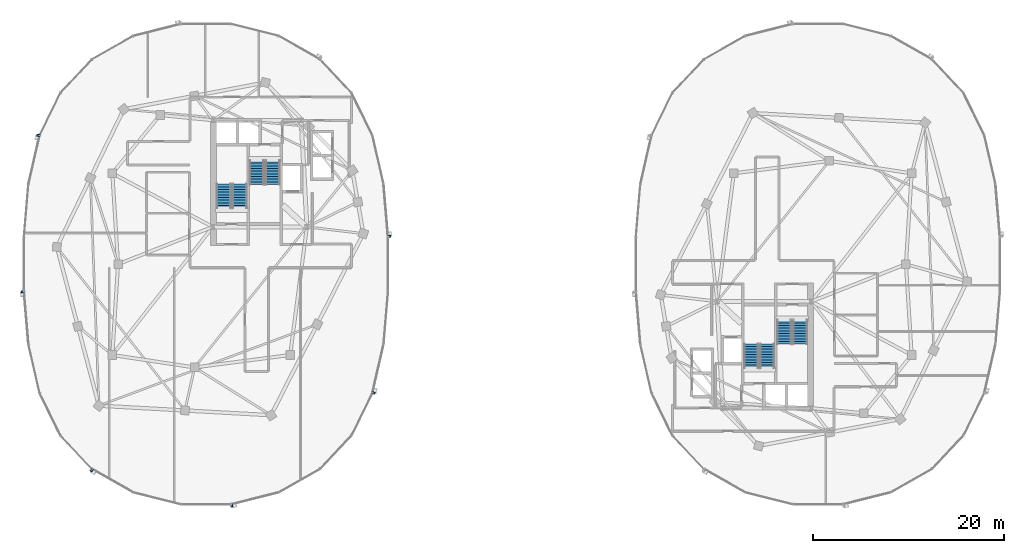
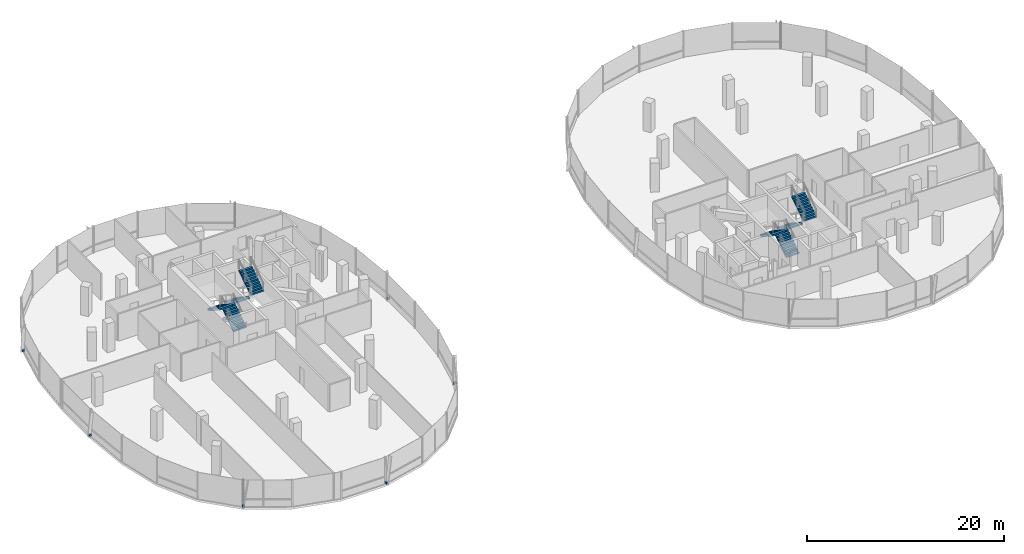
# One storey, part 18 of 25: 8 stair flights, 6 discrete accessories, 4 elements without a shape of their own.
"""IFC4 building model written with IfcOpenShell, lengths in metres."""

from ifc_helpers import new_model, si_unit, direction, frame, origin, origin_2d, place, context, subcontext, project, spatial, polyline, rectangle, outline, extrude, material, type_object, element, aggregate, save


model = new_model("IFC4")

# Units and contexts
model_context = context("Model", 3, precision=1e-05, world=origin(), true_north=direction((0.0, 1.0)))
body_context = subcontext(model_context, "Body", "Model", "MODEL_VIEW")
ifc_project = project(units=[si_unit("LENGTHUNIT", "METRE"), si_unit("AREAUNIT", "SQUARE_METRE"), si_unit("VOLUMEUNIT", "CUBIC_METRE"), si_unit("PLANEANGLEUNIT", "RADIAN"), si_unit("MASSUNIT", "GRAM", prefix="KILO"), si_unit("THERMODYNAMICTEMPERATUREUNIT", "KELVIN"), si_unit("POWERUNIT", "WATT")], contexts=[model_context])

# Site, building, storey
site_placement = place(None, origin())
site = spatial("IfcSite", under=ifc_project, at=site_placement, CompositionType="ELEMENT")
building_placement = place(site_placement, origin())
building = spatial("IfcBuilding", under=site, at=building_placement, Name="Cundina Bronze Exchange", CompositionType="ELEMENT")
storey_placement = place(building_placement, frame((0.0, 0.0, 199.0)))
storey = spatial("IfcBuildingStorey", under=building, at=storey_placement, Name="L52", CompositionType="ELEMENT", Elevation=199.0)

# Stair, stair flights
ifc_material_1 = material(Name="Concrete C40/50", Category="concrete")
stair_type = type_object("IfcStairType", Name="STR-OFF-360", PredefinedType="HALF_TURN_STAIR", material=ifc_material_1)
stair_1_placement = place(storey_placement, origin())
stair_1 = element("IfcStair", 1, at=stair_1_placement, inside=storey, type_object=stair_type, Name="L52 Smokeproof Exit Stair W1", PredefinedType="HALF_TURN_STAIR")
stair_flight_type = type_object("IfcStairFlightType", Name="FLG-OFF-180", PredefinedType="STRAIGHT", material=ifc_material_1)
stair_flight_1_placement = place(storey_placement, frame((-28.489990234375, 5.85009765625, 0.0), z_axis=(0.0, 0.0, 1.0), x_axis=(0.0, 1.0, 0.0)))
stair_flight_1 = element("IfcStairFlight", 2, at=stair_flight_1_placement, type_object=stair_flight_type, Name="ST-W1 flight 1", NumberOfRisers=10, NumberOfTreads=9, PredefinedType="STRAIGHT", RiserHeight=0.18, TreadLength=0.28, context=body_context, shape_type="SweptSolid", body=[
    extrude(outline(polyline([(0.0, 0.0), (0.0, 0.179931640625), (0.280029296875, 0.179931640625), (0.280029296875, 0.360107421875), (0.56005859375, 0.360107421875), (0.56005859375, 0.5400390625), (0.840087890625, 0.5400390625), (0.840087890625, 0.719970703125), (1.1201171875, 0.719970703125), (1.1201171875, 0.89990234375), (1.39990234375, 0.89990234375), (1.39990234375, 1.080078125), (1.679931640625, 1.080078125), (1.679931640625, 1.260009765625), (1.9599609375, 1.260009765625), (1.9599609375, 1.43994140625), (2.239990234375, 1.43994140625), (2.239990234375, 1.6201171875), (2.52001953125, 1.6201171875), (2.52001953125, 1.800048828125), (2.52001953125, 1.44189453125), (0.277099609375, 0.0), (0.0, 0.0)])), frame((0.0, 0.75, 0.0), z_axis=(0.0, -1.0, 0.0), x_axis=(1.0, 0.0, 0.0)), (0.0, 0.0, 1.0), 1.5),
])
stair_flight_2_placement = place(storey_placement, frame((-30.14990234375, 8.3701171875, 1.800048828125), z_axis=(0.0, 0.0, 1.0), x_axis=(0.0, -1.0, 0.0)))
stair_flight_2 = element("IfcStairFlight", 3, at=stair_flight_2_placement, type_object=stair_flight_type, Name="ST-W1 flight 2", NumberOfRisers=10, NumberOfTreads=9, PredefinedType="STRAIGHT", RiserHeight=0.18, TreadLength=0.28, context=body_context, shape_type="SweptSolid", body=[
    extrude(outline(polyline([(0.0, 0.0), (0.0, 0.179931640625), (0.280029296875, 0.179931640625), (0.280029296875, 0.360107421875), (0.56005859375, 0.360107421875), (0.56005859375, 0.5400390625), (0.840087890625, 0.5400390625), (0.840087890625, 0.719970703125), (1.1201171875, 0.719970703125), (1.1201171875, 0.89990234375), (1.39990234375, 0.89990234375), (1.39990234375, 1.080078125), (1.679931640625, 1.080078125), (1.679931640625, 1.260009765625), (1.9599609375, 1.260009765625), (1.9599609375, 1.43994140625), (2.239990234375, 1.43994140625), (2.239990234375, 1.6201171875), (2.52001953125, 1.6201171875), (2.52001953125, 1.800048828125), (2.52001953125, 1.44189453125), (0.277099609375, 0.0), (0.0, 0.0)])), frame((0.0, 0.75, 0.0), z_axis=(0.0, -1.0, 0.0), x_axis=(1.0, 0.0, 0.0)), (0.0, 0.0, 1.0), 1.5),
])
aggregate(stair_1, [stair_flight_1, stair_flight_2])

stair_2_placement = place(storey_placement, origin())
stair_2 = element("IfcStair", 4, at=stair_2_placement, inside=storey, type_object=stair_type, Name="L52 Smokeproof Exit Stair W2", PredefinedType="HALF_TURN_STAIR")
stair_flight_3_placement = place(storey_placement, frame((-26.68994140625, 10.85009765625, 0.0), z_axis=(0.0, 0.0, 1.0), x_axis=(0.0, -1.0, 0.0)))
stair_flight_3 = element("IfcStairFlight", 5, at=stair_flight_3_placement, type_object=stair_flight_type, Name="ST-W2 flight 1", NumberOfRisers=10, NumberOfTreads=9, PredefinedType="STRAIGHT", RiserHeight=0.18, TreadLength=0.28, context=body_context, shape_type="SweptSolid", body=[
    extrude(outline(polyline([(0.0, 0.0), (0.0, 0.179931640625), (0.280029296875, 0.179931640625), (0.280029296875, 0.360107421875), (0.56005859375, 0.360107421875), (0.56005859375, 0.5400390625), (0.840087890625, 0.5400390625), (0.840087890625, 0.719970703125), (1.1201171875, 0.719970703125), (1.1201171875, 0.89990234375), (1.39990234375, 0.89990234375), (1.39990234375, 1.080078125), (1.679931640625, 1.080078125), (1.679931640625, 1.260009765625), (1.9599609375, 1.260009765625), (1.9599609375, 1.43994140625), (2.239990234375, 1.43994140625), (2.239990234375, 1.6201171875), (2.52001953125, 1.6201171875), (2.52001953125, 1.800048828125), (2.52001953125, 1.44189453125), (0.277099609375, 0.0), (0.0, 0.0)])), frame((0.0, 0.75, 0.0), z_axis=(0.0, -1.0, 0.0), x_axis=(1.0, 0.0, 0.0)), (0.0, 0.0, 1.0), 1.5),
])
stair_flight_4_placement = place(storey_placement, frame((-25.030029296875, 8.330078125, 1.800048828125), z_axis=(0.0, 0.0, 1.0), x_axis=(0.0, 1.0, 0.0)))
stair_flight_4 = element("IfcStairFlight", 6, at=stair_flight_4_placement, type_object=stair_flight_type, Name="ST-W2 flight 2", NumberOfRisers=10, NumberOfTreads=9, PredefinedType="STRAIGHT", RiserHeight=0.18, TreadLength=0.28, context=body_context, shape_type="SweptSolid", body=[
    extrude(outline(polyline([(0.0, 0.0), (0.0, 0.179931640625), (0.280029296875, 0.179931640625), (0.280029296875, 0.360107421875), (0.56005859375, 0.360107421875), (0.56005859375, 0.5400390625), (0.840087890625, 0.5400390625), (0.840087890625, 0.719970703125), (1.1201171875, 0.719970703125), (1.1201171875, 0.89990234375), (1.39990234375, 0.89990234375), (1.39990234375, 1.080078125), (1.679931640625, 1.080078125), (1.679931640625, 1.260009765625), (1.9599609375, 1.260009765625), (1.9599609375, 1.43994140625), (2.239990234375, 1.43994140625), (2.239990234375, 1.6201171875), (2.52001953125, 1.6201171875), (2.52001953125, 1.800048828125), (2.52001953125, 1.44189453125), (0.277099609375, 0.0), (0.0, 0.0)])), frame((0.0, 0.75, 0.0), z_axis=(0.0, -1.0, 0.0), x_axis=(1.0, 0.0, 0.0)), (0.0, 0.0, 1.0), 1.5),
])
aggregate(stair_2, [stair_flight_3, stair_flight_4])

stair_3_placement = place(storey_placement, origin())
stair_3 = element("IfcStair", 7, at=stair_3_placement, inside=storey, type_object=stair_type, Name="L52 Smokeproof Exit Stair E1", PredefinedType="HALF_TURN_STAIR")
stair_flight_5_placement = place(storey_placement, frame((28.489990234375, -5.85009765625, 0.0), z_axis=(0.0, 0.0, 1.0), x_axis=(0.0, -1.0, 0.0)))
stair_flight_5 = element("IfcStairFlight", 8, at=stair_flight_5_placement, type_object=stair_flight_type, Name="ST-E1 flight 1", NumberOfRisers=10, NumberOfTreads=9, PredefinedType="STRAIGHT", RiserHeight=0.18, TreadLength=0.28, context=body_context, shape_type="SweptSolid", body=[
    extrude(outline(polyline([(0.0, 0.0), (0.0, 0.179931640625), (0.280029296875, 0.179931640625), (0.280029296875, 0.360107421875), (0.56005859375, 0.360107421875), (0.56005859375, 0.5400390625), (0.840087890625, 0.5400390625), (0.840087890625, 0.719970703125), (1.1201171875, 0.719970703125), (1.1201171875, 0.89990234375), (1.39990234375, 0.89990234375), (1.39990234375, 1.080078125), (1.679931640625, 1.080078125), (1.679931640625, 1.260009765625), (1.9599609375, 1.260009765625), (1.9599609375, 1.43994140625), (2.239990234375, 1.43994140625), (2.239990234375, 1.6201171875), (2.52001953125, 1.6201171875), (2.52001953125, 1.800048828125), (2.52001953125, 1.44189453125), (0.277099609375, 0.0), (0.0, 0.0)])), frame((0.0, 0.75, 0.0), z_axis=(0.0, -1.0, 0.0), x_axis=(1.0, 0.0, 0.0)), (0.0, 0.0, 1.0), 1.5),
])
stair_flight_6_placement = place(storey_placement, frame((30.14990234375, -8.3701171875, 1.800048828125), z_axis=(0.0, 0.0, 1.0), x_axis=(0.0, 1.0, 0.0)))
stair_flight_6 = element("IfcStairFlight", 9, at=stair_flight_6_placement, type_object=stair_flight_type, Name="ST-E1 flight 2", NumberOfRisers=10, NumberOfTreads=9, PredefinedType="STRAIGHT", RiserHeight=0.18, TreadLength=0.28, context=body_context, shape_type="SweptSolid", body=[
    extrude(outline(polyline([(0.0, 0.0), (0.0, 0.179931640625), (0.280029296875, 0.179931640625), (0.280029296875, 0.360107421875), (0.56005859375, 0.360107421875), (0.56005859375, 0.5400390625), (0.840087890625, 0.5400390625), (0.840087890625, 0.719970703125), (1.1201171875, 0.719970703125), (1.1201171875, 0.89990234375), (1.39990234375, 0.89990234375), (1.39990234375, 1.080078125), (1.679931640625, 1.080078125), (1.679931640625, 1.260009765625), (1.9599609375, 1.260009765625), (1.9599609375, 1.43994140625), (2.239990234375, 1.43994140625), (2.239990234375, 1.6201171875), (2.52001953125, 1.6201171875), (2.52001953125, 1.800048828125), (2.52001953125, 1.44189453125), (0.277099609375, 0.0), (0.0, 0.0)])), frame((0.0, 0.75, 0.0), z_axis=(0.0, -1.0, 0.0), x_axis=(1.0, 0.0, 0.0)), (0.0, 0.0, 1.0), 1.5),
])
aggregate(stair_3, [stair_flight_5, stair_flight_6])

stair_4_placement = place(storey_placement, origin())
stair_4 = element("IfcStair", 10, at=stair_4_placement, inside=storey, type_object=stair_type, Name="L52 Smokeproof Exit Stair E2", PredefinedType="HALF_TURN_STAIR")
stair_flight_7_placement = place(storey_placement, frame((26.68994140625, -10.85009765625, 0.0), z_axis=(0.0, 0.0, 1.0), x_axis=(0.0, 1.0, 0.0)))
stair_flight_7 = element("IfcStairFlight", 11, at=stair_flight_7_placement, type_object=stair_flight_type, Name="ST-E2 flight 1", NumberOfRisers=10, NumberOfTreads=9, PredefinedType="STRAIGHT", RiserHeight=0.18, TreadLength=0.28, context=body_context, shape_type="SweptSolid", body=[
    extrude(outline(polyline([(0.0, 0.0), (0.0, 0.179931640625), (0.280029296875, 0.179931640625), (0.280029296875, 0.360107421875), (0.56005859375, 0.360107421875), (0.56005859375, 0.5400390625), (0.840087890625, 0.5400390625), (0.840087890625, 0.719970703125), (1.1201171875, 0.719970703125), (1.1201171875, 0.89990234375), (1.39990234375, 0.89990234375), (1.39990234375, 1.080078125), (1.679931640625, 1.080078125), (1.679931640625, 1.260009765625), (1.9599609375, 1.260009765625), (1.9599609375, 1.43994140625), (2.239990234375, 1.43994140625), (2.239990234375, 1.6201171875), (2.52001953125, 1.6201171875), (2.52001953125, 1.800048828125), (2.52001953125, 1.44189453125), (0.277099609375, 0.0), (0.0, 0.0)])), frame((0.0, 0.75, 0.0), z_axis=(0.0, -1.0, 0.0), x_axis=(1.0, 0.0, 0.0)), (0.0, 0.0, 1.0), 1.5),
])
stair_flight_8_placement = place(storey_placement, frame((25.030029296875, -8.330078125, 1.800048828125), z_axis=(0.0, 0.0, 1.0), x_axis=(0.0, -1.0, 0.0)))
stair_flight_8 = element("IfcStairFlight", 12, at=stair_flight_8_placement, type_object=stair_flight_type, Name="ST-E2 flight 2", NumberOfRisers=10, NumberOfTreads=9, PredefinedType="STRAIGHT", RiserHeight=0.18, TreadLength=0.28, context=body_context, shape_type="SweptSolid", body=[
    extrude(outline(polyline([(0.0, 0.0), (0.0, 0.179931640625), (0.280029296875, 0.179931640625), (0.280029296875, 0.360107421875), (0.56005859375, 0.360107421875), (0.56005859375, 0.5400390625), (0.840087890625, 0.5400390625), (0.840087890625, 0.719970703125), (1.1201171875, 0.719970703125), (1.1201171875, 0.89990234375), (1.39990234375, 0.89990234375), (1.39990234375, 1.080078125), (1.679931640625, 1.080078125), (1.679931640625, 1.260009765625), (1.9599609375, 1.260009765625), (1.9599609375, 1.43994140625), (2.239990234375, 1.43994140625), (2.239990234375, 1.6201171875), (2.52001953125, 1.6201171875), (2.52001953125, 1.800048828125), (2.52001953125, 1.44189453125), (0.277099609375, 0.0), (0.0, 0.0)])), frame((0.0, 0.75, 0.0), z_axis=(0.0, -1.0, 0.0), x_axis=(1.0, 0.0, 0.0)), (0.0, 0.0, 1.0), 1.5),
])
aggregate(stair_4, [stair_flight_7, stair_flight_8])

# Discrete accessories
ifc_material_2 = material(Name="Anodised Bronze Aluminium 6063-T6", Category="aluminium")
discrete_accessory_type = type_object("IfcDiscreteAccessoryType", Name="ACC-BRK-FIN", PredefinedType="BRACKET", material=ifc_material_2)
for number, where, z_axis, x_axis, name in (
    (13, (-12.84521484375, 2.893798828125, 0.10009765625), (0.0, 0.0, 1.0), (-0.083747411454, 0.996487015006, 0.0), "L52 Fin Support Bracket 1"),
    (14, (-49.529541015625, 13.468505859375, 0.10009765625), (0.0, 0.0, 1.0), (-0.223284141459, -0.974753400698, 0.0), "L52 Fin Support Bracket 5"),
    (15, (-51.15478515625, -2.893798828125, 0.10009765625), (0.0, 0.0, 1.0), (0.083747411454, -0.996487015006, 0.0), "L52 Fin Support Bracket 1"),
    (16, (-43.961181640625, -21.539794921875, 0.10009765625), (0.0, 0.0, 1.0), (0.869572506985, -0.493805280547, 0.0), "L52 Fin Support Bracket 5"),
    (17, (-29.321044921875, -25.23779296875, 0.10009765625), (0.0, 0.0, 1.0), (0.969731542251, 0.244173577528, 0.0), "L52 Fin Support Bracket 1"),
    (18, (-14.470458984375, -13.468505859375, 0.10009765625), (0.0, 0.0, 1.0), (0.223284141459, 0.974753400698, 0.0), "L52 Fin Support Bracket 5"),
):
    element("IfcDiscreteAccessory", number, at=place(storey_placement, frame(where, z_axis=z_axis, x_axis=x_axis)), inside=storey, type_object=discrete_accessory_type, Name=name, PredefinedType="BRACKET", context=body_context, shape_type="SweptSolid", body=[
        extrude(rectangle(XDim=0.219970703125, YDim=0.320068359375, at=origin_2d()), origin(), (0.0, 0.0, 1.0), 0.239990234375),
    ])

save(model, "model.ifc")
